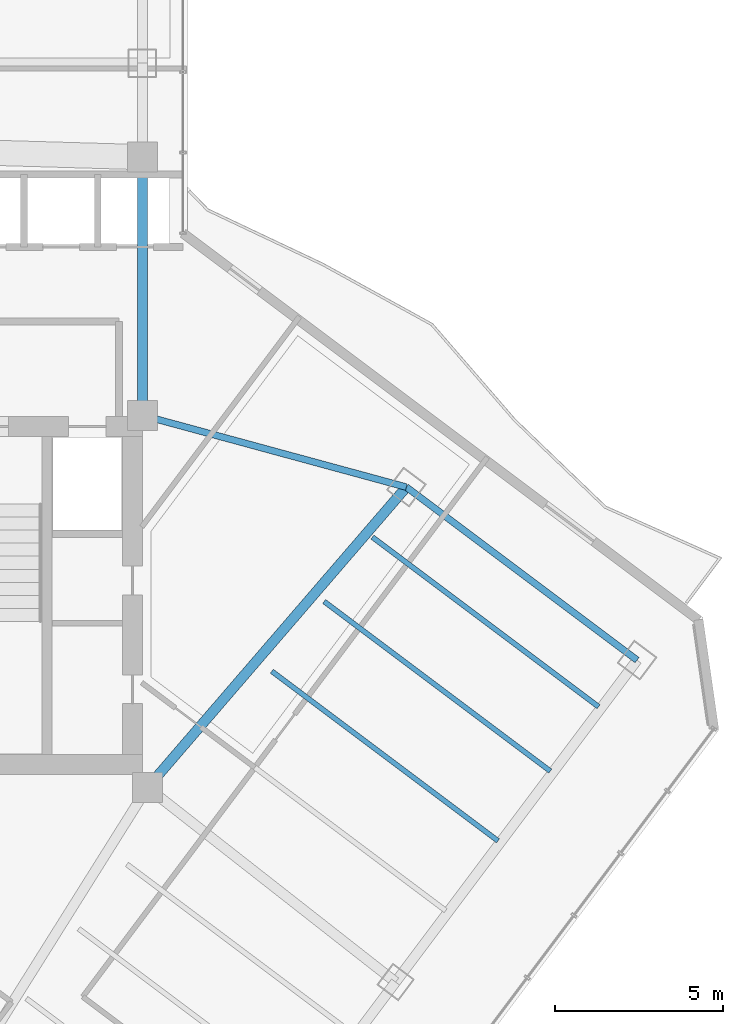
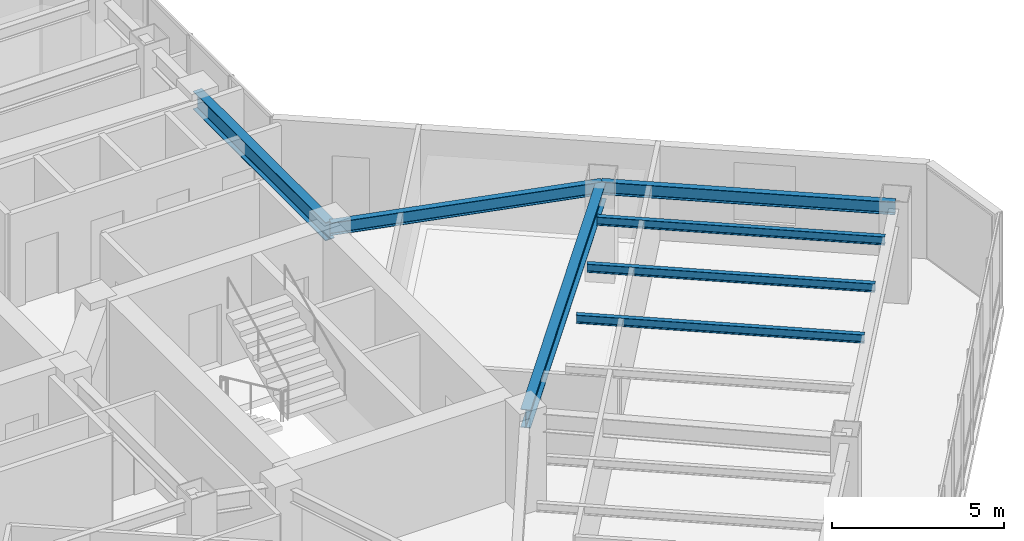
# One storey, part 14 of 26: 7 beams.
"""IFC4 building model written with IfcOpenShell, lengths in metres."""

from ifc_helpers import new_model, si_unit, direction, frame, origin, origin_2d, place, context, subcontext, project, spatial, i_section, extrude, material, material_profile, profile_set, type_object, element, save


model = new_model("IFC4")

# Units and contexts
model_context = context("Model", 3, precision=1e-05, world=origin(), true_north=direction((0.0, 1.0)))
body_context = subcontext(model_context, "Body", "Model", "MODEL_VIEW")
ifc_project = project(units=[si_unit("LENGTHUNIT", "METRE"), si_unit("AREAUNIT", "SQUARE_METRE"), si_unit("VOLUMEUNIT", "CUBIC_METRE"), si_unit("PLANEANGLEUNIT", "RADIAN"), si_unit("MASSUNIT", "GRAM", prefix="KILO")], contexts=[model_context])

# Site, building, storey
site_placement = place(None, origin())
site = spatial("IfcSite", under=ifc_project, at=site_placement, CompositionType="ELEMENT")
building_placement = place(site_placement, origin())
building = spatial("IfcBuilding", under=site, at=building_placement, Name="Hatsunagi Terrace Concourse", CompositionType="ELEMENT")
storey_placement = place(building_placement, frame((0.0, 0.0, 152.85009765625)))
storey = spatial("IfcBuildingStorey", under=building, at=storey_placement, Name="L40", CompositionType="ELEMENT", Elevation=152.85009765625)

# Beams
ifc_material_1 = material(Name="Steel SN490B", Category="steel")
ifc_material_profile_1 = material_profile(ifc_material_1, i_section(OverallWidth=0.14990234375, OverallDepth=0.300048828125, WebThickness=0.006591796875, FlangeThickness=0.009033203125, FilletRadius=0.010986328125, at=origin_2d()), Name="H-300x150x6.5x9")
ifc_profile_set_1 = profile_set([ifc_material_profile_1], Name="Steel SN490B")
beam_type_1 = type_object("IfcBeamType", Name="OfficeJoist_H_300x150", PredefinedType="JOIST", material=ifc_profile_set_1)
for number, where, z_axis, x_axis, name in (
    (1, (47.508056640625, 27.6689453125, 3.199951171875), (0.800003475366, -0.59999536615, 0.0), (0.59999536615, 0.800003475366, 0.0), "Beam J-03 J-L40-SE-2-168"),
    (2, (49.068115234375, 29.7490234375, 3.199951171875), (0.799989573921, -0.600013901187, 0.0), (0.600013901187, 0.799989573921, 0.0), "Beam J-03 J-L40-SE-2-194"),
    (3, (50.508056640625, 31.6689453125, 3.199951171875), (0.800003475366, -0.59999536615, 0.0), (0.59999536615, 0.800003475366, 0.0), "Beam J-03 J-L40-SE-2-218"),
):
    element("IfcBeam", number, at=place(storey_placement, frame(where, z_axis=z_axis, x_axis=x_axis)), inside=storey, type_object=beam_type_1, Name=name, PredefinedType="JOIST", context=body_context, shape_type="SweptSolid", body=[
        extrude(i_section(OverallWidth=0.14990234375, OverallDepth=0.300048828125, WebThickness=0.006591796875, FlangeThickness=0.009033203125, FilletRadius=0.010986328125, at=origin_2d()), origin(), (0.0, 0.0, 1.0), 8.429931640625),
    ])
ifc_material_2 = material(Name="Steel SN490B", Category="steel")
ifc_material_profile_2 = material_profile(ifc_material_2, i_section(OverallWidth=0.300048828125, OverallDepth=0.64990234375, WebThickness=0.012939453125, FlangeThickness=0.02197265625, FilletRadius=0.01806640625, at=origin_2d()), Name="H-650x300x13x22")
ifc_profile_set_2 = profile_set([ifc_material_profile_2], Name="Steel SN490B")
beam_type_2 = type_object("IfcBeamType", Name="OfficeLowGirder_H_650x300", PredefinedType="BEAM", material=ifc_profile_set_2)
beam_1_placement = place(storey_placement, frame((43.64990234375, 35.300048828125, 3.02490234375), z_axis=(0.0, 1.0, 0.0), x_axis=(-1.0, 0.0, 0.0)))
element("IfcBeam", 4, at=beam_1_placement, inside=storey, type_object=beam_type_2, Name="Beam G-05 BM-L40-CBK3", PredefinedType="BEAM", context=body_context, shape_type="SweptSolid", body=[
    extrude(i_section(OverallWidth=0.300048828125, OverallDepth=0.64990234375, WebThickness=0.012939453125, FlangeThickness=0.02197265625, FilletRadius=0.01806640625, at=origin_2d()), origin(), (0.0, 0.0, 1.0), 7.699951171875),
])
beam_2_placement = place(storey_placement, frame((43.800048828125, 24.199951171875, 3.02490234375), z_axis=(0.652739101421, 0.757582777969, 0.0), x_axis=(-0.757582777969, 0.652739101421, 0.0)))
element("IfcBeam", 5, at=beam_2_placement, inside=storey, type_object=beam_type_2, Name="Beam G-05 BM-L40-SET-1B", PredefinedType="BEAM", context=body_context, shape_type="SweptSolid", body=[
    extrude(i_section(OverallWidth=0.300048828125, OverallDepth=0.64990234375, WebThickness=0.012939453125, FlangeThickness=0.02197265625, FilletRadius=0.01806640625, at=origin_2d()), origin(), (0.0, 0.0, 1.0), 11.8271484375),
])
ifc_material_3 = material(Name="Steel SN490B", Category="steel")
ifc_material_profile_3 = material_profile(ifc_material_3, i_section(OverallWidth=0.199951171875, OverallDepth=0.449951171875, WebThickness=0.009033203125, FlangeThickness=0.013916015625, FilletRadius=0.01611328125, at=origin_2d()), Name="H-450x200x9x14")
ifc_profile_set_3 = profile_set([ifc_material_profile_3], Name="Steel SN490B")
beam_type_3 = type_object("IfcBeamType", Name="PerimeterSpandrel_H_450x200", PredefinedType="SPANDREL", material=ifc_profile_set_3)
beam_3_placement = place(storey_placement, frame((43.64990234375, 35.300048828125, 3.125), z_axis=(0.964958359286, -0.262403057994, 0.0), x_axis=(0.262403057994, 0.964958359286, 0.0)))
element("IfcBeam", 6, at=beam_3_placement, inside=storey, type_object=beam_type_3, Name="Beam SP-02 BM-L40-SE-NE0", PredefinedType="SPANDREL", context=body_context, shape_type="SweptSolid", body=[
    extrude(i_section(OverallWidth=0.199951171875, OverallDepth=0.449951171875, WebThickness=0.009033203125, FlangeThickness=0.013916015625, FilletRadius=0.01611328125, at=origin_2d()), origin(), (0.0, 0.0, 1.0), 8.156005859375),
])
beam_4_placement = place(storey_placement, frame((51.52001953125, 33.159912109375, 3.125), z_axis=(0.8, -0.6, 0.0), x_axis=(0.6, 0.8, 0.0)))
element("IfcBeam", 7, at=beam_4_placement, inside=storey, type_object=beam_type_3, Name="Beam SP-02 BM-L40-SE-NE2", PredefinedType="SPANDREL", context=body_context, shape_type="SweptSolid", body=[
    extrude(i_section(OverallWidth=0.199951171875, OverallDepth=0.449951171875, WebThickness=0.009033203125, FlangeThickness=0.013916015625, FilletRadius=0.01611328125, at=origin_2d()), origin(), (0.0, 0.0, 1.0), 8.599853515625),
])

save(model, "model.ifc")
